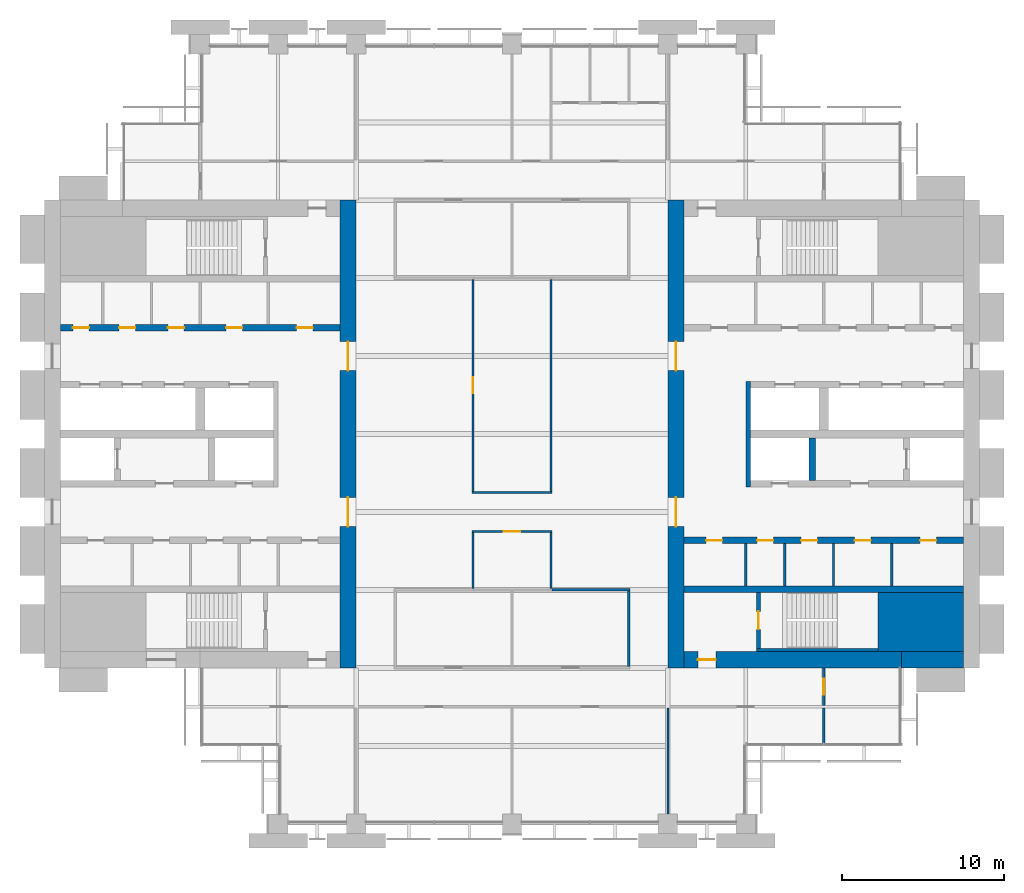
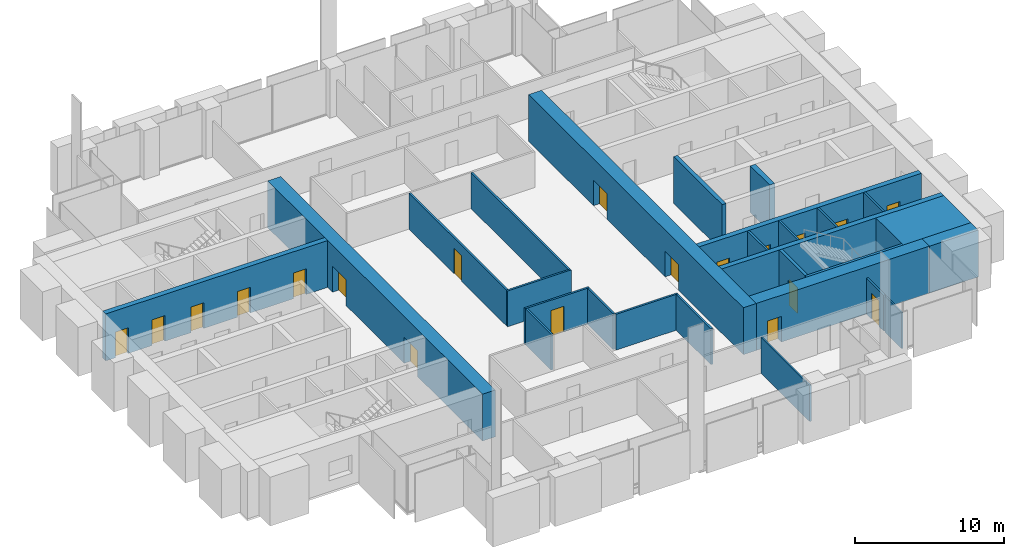
# One storey, part 10 of 14: 27 walls, 19 doors, 19 openings.
"""IFC4 building model written with IfcOpenShell, lengths in metres."""

from ifc_helpers import new_model, si_unit, direction, frame, frame_2d, origin, place, context, subcontext, project, spatial, rectangle, extrude, material, layer, layer_set, type_object, element, fill, save


model = new_model("IFC4")

# Units and contexts
model_context = context("Model", 3, precision=1e-05, world=origin(), true_north=direction((0.0, 1.0)))
body_context = subcontext(model_context, "Body", "Model", "MODEL_VIEW")
ifc_project = project(units=[si_unit("LENGTHUNIT", "METRE"), si_unit("AREAUNIT", "SQUARE_METRE"), si_unit("VOLUMEUNIT", "CUBIC_METRE"), si_unit("PLANEANGLEUNIT", "RADIAN"), si_unit("MASSUNIT", "GRAM", prefix="KILO")], contexts=[model_context])

# Site, building, storey
site_placement = place(None, origin())
site = spatial("IfcSite", under=ifc_project, at=site_placement, CompositionType="ELEMENT")
building_placement = place(site_placement, origin())
building = spatial("IfcBuilding", under=site, at=building_placement, Name="Baori Bourse Tower", CompositionType="ELEMENT")
storey_placement = place(building_placement, frame((0.0, 0.0, 108.10009765625)))
storey = spatial("IfcBuildingStorey", under=building, at=storey_placement, Name="L22", CompositionType="ELEMENT", Elevation=108.10009765625)

# Walls
ifc_material_1 = material(Name="Concrete f'c 60 MPa", Category="concrete")
wall_type_1 = type_object("IfcWallType", Name="Core corner block f'c 60", PredefinedType="SHEAR", material=ifc_material_1)
wall_1_placement = place(storey_placement, frame((51.35009765625, 12.425048828125, 0.0), z_axis=(0.0, 0.0, 1.0), x_axis=(1.0, 0.0, 0.0)))
element("IfcWall", 1, at=wall_1_placement, inside=storey, type_object=wall_type_1, Name="Core wall E05", PredefinedType="SHEAR", context=body_context, shape_type="SweptSolid", body=[
    extrude(rectangle(XDim=5.25, YDim=3.64990234375, at=frame_2d((2.625, 0.0))), origin(), (0.0, 0.0, 1.0), 3.83984375),
])
ifc_material_2 = material(Name="Blockwork partition", Category="masonry")
ifc_layer_1 = layer(ifc_material_2, 0.14990234375)
ifc_layer_set_1 = layer_set([ifc_layer_1], Name="Core partition 150")
wall_type_2 = type_object("IfcWallType", Name="Core partition 150", PredefinedType="PARTITIONING", material=ifc_layer_set_1)
for number, where, z_axis, x_axis, name in (
    (2, (52.199951171875, 14.64990234375, 0.0), (0.0, 0.0, 1.0), (0.0, 1.0, 0.0), "Partition wall E09"),
    (3, (48.60009765625, 14.64990234375, 0.0), (0.0, 0.0, 1.0), (0.0, 1.0, 0.0), "Partition wall E10"),
    (4, (45.60009765625, 14.64990234375, 0.0), (0.0, 0.0, 1.0), (0.0, 1.0, 0.0), "Partition wall E11"),
    (5, (43.199951171875, 14.64990234375, 0.0), (0.0, 0.0, 1.0), (0.0, 1.0, 0.0), "Partition wall E12"),
):
    element("IfcWall", number, at=place(storey_placement, frame(where, z_axis=z_axis, x_axis=x_axis)), inside=storey, type_object=wall_type_2, Name=name, PredefinedType="PARTITIONING", context=body_context, shape_type="SweptSolid", body=[
        extrude(rectangle(XDim=2.60009765625, YDim=0.14990234375, at=frame_2d((1.300048828125, 0.0))), origin(), (0.0, 0.0, 1.0), 3.83984375),
    ])

# Wall, openings, doors
ifc_material_3 = material(Name="Concrete f'c 60 MPa", Category="concrete")
ifc_layer_2 = layer(ifc_material_3, 1.0)
ifc_layer_set_2 = layer_set([ifc_layer_2], Name="Core wall 1000 f'c 60")
wall_type_3 = type_object("IfcWallType", Name="Core wall 1000 f'c 60", PredefinedType="SHEAR", material=ifc_layer_set_2)
wall_2_placement = place(storey_placement, frame((18.699951171875, 38.39990234375, 0.0), z_axis=(0.0, 0.0, 1.0), x_axis=(0.0, -1.0, 0.0)))
wall_2 = element("IfcWall", 6, at=wall_2_placement, inside=storey, type_object=wall_type_3, Name="Core wall W04", PredefinedType="SHEAR", context=body_context, shape_type="SweptSolid", body=[
    extrude(rectangle(XDim=28.7998046875, YDim=1.0, at=frame_2d((14.39990234375, 0.0))), origin(), (0.0, 0.0, 1.0), 3.83984375),
])
opening_1_placement = place(wall_2_placement, frame((18.300048828125, 0.0, 0.0)))
opening_1 = element("IfcOpeningElement", 7, at=opening_1_placement, cuts=wall_2, Name="Opening L22-D107", PredefinedType="OPENING", context=body_context, shape_type="SweptSolid", body=[
    extrude(rectangle(XDim=1.800048828125, YDim=2.10009765625, at=frame_2d((0.89990234375, 1.050048828125))), frame((0.0, 0.510009765625, 0.0), z_axis=(0.0, -1.0, 0.0), x_axis=(1.0, 0.0, 0.0)), (0.0, 0.0, 1.0), 1.02001953125),
])
opening_2_placement = place(wall_2_placement, frame((8.699951171875, 0.0, 0.0)))
opening_2 = element("IfcOpeningElement", 8, at=opening_2_placement, cuts=wall_2, Name="Opening L22-D108", PredefinedType="OPENING", context=body_context, shape_type="SweptSolid", body=[
    extrude(rectangle(XDim=1.800048828125, YDim=2.10009765625, at=frame_2d((0.89990234375, 1.050048828125))), frame((0.0, 0.510009765625, 0.0), z_axis=(0.0, -1.0, 0.0), x_axis=(1.0, 0.0, 0.0)), (0.0, 0.0, 1.0), 1.02001953125),
])
ifc_material_4 = material(Name="Painted steel door", Category="steel")
door_type_1 = type_object("IfcDoorType", Name="Core lobby door 1800", OperationType="DOUBLE_DOOR_SINGLE_SWING", PredefinedType="DOOR", material=ifc_material_4)
door_1_placement = place(opening_1_placement, origin())
door_1 = element("IfcDoor", 9, at=door_1_placement, inside=storey, type_object=door_type_1, Name="Lobby door W L22", OperationType="DOUBLE_DOOR_SINGLE_SWING", OverallHeight=2.10009765625, OverallWidth=1.800048828125, PredefinedType="DOOR", context=body_context, shape_type="SweptSolid", body=[
    extrude(rectangle(XDim=1.800048828125, YDim=2.10009765625, at=frame_2d((0.89990234375, 1.050048828125))), frame((0.0, 0.02490234375, 0.0), z_axis=(0.0, -1.0, 0.0), x_axis=(1.0, 0.0, 0.0)), (0.0, 0.0, 1.0), 0.050048828125),
])
fill(opening_1, door_1)
door_2_placement = place(opening_2_placement, origin())
door_2 = element("IfcDoor", 10, at=door_2_placement, inside=storey, type_object=door_type_1, Name="Lobby door W L22", OperationType="DOUBLE_DOOR_SINGLE_SWING", OverallHeight=2.10009765625, OverallWidth=1.800048828125, PredefinedType="DOOR", context=body_context, shape_type="SweptSolid", body=[
    extrude(rectangle(XDim=1.800048828125, YDim=2.10009765625, at=frame_2d((0.89990234375, 1.050048828125))), frame((0.0, 0.02490234375, 0.0), z_axis=(0.0, -1.0, 0.0), x_axis=(1.0, 0.0, 0.0)), (0.0, 0.0, 1.0), 0.050048828125),
])
fill(opening_2, door_2)

# Wall
wall_3_placement = place(storey_placement, frame((56.60009765625, 10.10009765625, 0.0), z_axis=(0.0, 0.0, 1.0), x_axis=(-1.0, 0.0, 0.0)))
element("IfcWall", 11, at=wall_3_placement, inside=storey, type_object=wall_type_3, Name="Core wall E02", PredefinedType="SHEAR", context=body_context, shape_type="SweptSolid", body=[
    extrude(rectangle(XDim=3.800048828125, YDim=1.0, at=frame_2d((1.89990234375, 0.0))), origin(), (0.0, 0.0, 1.0), 3.83984375),
])

# Wall, opening, door
wall_4_placement = place(storey_placement, frame((52.800048828125, 10.10009765625, 0.0), z_axis=(0.0, 0.0, 1.0), x_axis=(-1.0, 0.0, 0.0)))
wall_4 = element("IfcWall", 12, at=wall_4_placement, inside=storey, type_object=wall_type_3, Name="Core wall E03", PredefinedType="SHEAR", context=body_context, shape_type="SweptSolid", body=[
    extrude(rectangle(XDim=13.400146484375, YDim=1.0, at=frame_2d((6.7001953125, 0.0))), origin(), (0.0, 0.0, 1.0), 3.83984375),
])
opening_3_placement = place(wall_4_placement, frame((11.449951171875, 0.0, 0.0)))
opening_3 = element("IfcOpeningElement", 13, at=opening_3_placement, cuts=wall_4, Name="Opening L22-D202", PredefinedType="OPENING", context=body_context, shape_type="SweptSolid", body=[
    extrude(rectangle(XDim=1.10009765625, YDim=2.10009765625, at=frame_2d((0.550048828125, 1.050048828125))), frame((0.0, 0.510009765625, 0.0), z_axis=(0.0, -1.0, 0.0), x_axis=(1.0, 0.0, 0.0)), (0.0, 0.0, 1.0), 1.02001953125),
])
ifc_material_5 = material(Name="Painted steel door", Category="steel")
door_type_2 = type_object("IfcDoorType", Name="Stair door 1100", OperationType="SINGLE_SWING_LEFT", PredefinedType="DOOR", material=ifc_material_5)
door_3_placement = place(opening_3_placement, origin())
door_3 = element("IfcDoor", 14, at=door_3_placement, inside=storey, type_object=door_type_2, Name="Stair vestibule door A E L22", OperationType="SINGLE_SWING_LEFT", OverallHeight=2.10009765625, OverallWidth=1.10009765625, PredefinedType="DOOR", context=body_context, shape_type="SweptSolid", body=[
    extrude(rectangle(XDim=1.10009765625, YDim=2.10009765625, at=frame_2d((0.550048828125, 1.050048828125))), frame((0.0, 0.02490234375, 0.0), z_axis=(0.0, -1.0, 0.0), x_axis=(1.0, 0.0, 0.0)), (0.0, 0.0, 1.0), 0.050048828125),
])
fill(opening_3, door_3)

# Wall, openings, doors
wall_5_placement = place(storey_placement, frame((38.89990234375, 9.60009765625, 0.0), z_axis=(0.0, 0.0, 1.0), x_axis=(0.0, 1.0, 0.0)))
wall_5 = element("IfcWall", 15, at=wall_5_placement, inside=storey, type_object=wall_type_3, Name="Core wall E04", PredefinedType="SHEAR", context=body_context, shape_type="SweptSolid", body=[
    extrude(rectangle(XDim=28.7998046875, YDim=1.0, at=frame_2d((14.39990234375, 0.0))), origin(), (0.0, 0.0, 1.0), 3.83984375),
])
opening_4_placement = place(wall_5_placement, frame((8.699951171875, 0.0, 0.0)))
opening_4 = element("IfcOpeningElement", 16, at=opening_4_placement, cuts=wall_5, Name="Opening L22-D207", PredefinedType="OPENING", context=body_context, shape_type="SweptSolid", body=[
    extrude(rectangle(XDim=1.800048828125, YDim=2.10009765625, at=frame_2d((0.89990234375, 1.050048828125))), frame((0.0, 0.510009765625, 0.0), z_axis=(0.0, -1.0, 0.0), x_axis=(1.0, 0.0, 0.0)), (0.0, 0.0, 1.0), 1.02001953125),
])
opening_5_placement = place(wall_5_placement, frame((18.300048828125, 0.0, 0.0)))
opening_5 = element("IfcOpeningElement", 17, at=opening_5_placement, cuts=wall_5, Name="Opening L22-D208", PredefinedType="OPENING", context=body_context, shape_type="SweptSolid", body=[
    extrude(rectangle(XDim=1.800048828125, YDim=2.10009765625, at=frame_2d((0.89990234375, 1.050048828125))), frame((0.0, 0.510009765625, 0.0), z_axis=(0.0, -1.0, 0.0), x_axis=(1.0, 0.0, 0.0)), (0.0, 0.0, 1.0), 1.02001953125),
])
door_4_placement = place(opening_4_placement, origin())
door_4 = element("IfcDoor", 18, at=door_4_placement, inside=storey, type_object=door_type_1, Name="Lobby door E L22", OperationType="DOUBLE_DOOR_SINGLE_SWING", OverallHeight=2.10009765625, OverallWidth=1.800048828125, PredefinedType="DOOR", context=body_context, shape_type="SweptSolid", body=[
    extrude(rectangle(XDim=1.800048828125, YDim=2.10009765625, at=frame_2d((0.89990234375, 1.050048828125))), frame((0.0, 0.02490234375, 0.0), z_axis=(0.0, -1.0, 0.0), x_axis=(1.0, 0.0, 0.0)), (0.0, 0.0, 1.0), 0.050048828125),
])
fill(opening_4, door_4)
door_5_placement = place(opening_5_placement, origin())
door_5 = element("IfcDoor", 19, at=door_5_placement, inside=storey, type_object=door_type_1, Name="Lobby door E L22", OperationType="DOUBLE_DOOR_SINGLE_SWING", OverallHeight=2.10009765625, OverallWidth=1.800048828125, PredefinedType="DOOR", context=body_context, shape_type="SweptSolid", body=[
    extrude(rectangle(XDim=1.800048828125, YDim=2.10009765625, at=frame_2d((0.89990234375, 1.050048828125))), frame((0.0, 0.02490234375, 0.0), z_axis=(0.0, -1.0, 0.0), x_axis=(1.0, 0.0, 0.0)), (0.0, 0.0, 1.0), 0.050048828125),
])
fill(opening_5, door_5)

# Wall
ifc_material_6 = material(Name="Gypsum board partition")
ifc_layer_3 = layer(ifc_material_6, 0.14990234375)
ifc_layer_set_3 = layer_set([ifc_layer_3], Name="Corridor partition 150")
wall_type_4 = type_object("IfcWallType", Name="Corridor partition 150", PredefinedType="PARTITIONING", material=ifc_layer_set_3)
wall_6_placement = place(storey_placement, frame((31.27490234375, 14.39990234375, 0.0), z_axis=(0.0, 0.0, 1.0), x_axis=(1.0, 0.0, 0.0)))
element("IfcWall", 20, at=wall_6_placement, inside=storey, type_object=wall_type_4, Name="Partition", PredefinedType="PARTITIONING", context=body_context, shape_type="SweptSolid", body=[
    extrude(rectangle(XDim=4.800048828125, YDim=0.14990234375, at=frame_2d((2.39990234375, 0.0))), origin(), (0.0, 0.0, 1.0), 2.935546875),
])

# Wall, opening, door
wall_7_placement = place(storey_placement, frame((26.324951171875, 18.0, 0.0), z_axis=(0.0, 0.0, 1.0), x_axis=(1.0, 0.0, 0.0)))
wall_7 = element("IfcWall", 21, at=wall_7_placement, inside=storey, type_object=wall_type_4, Name="Partition", PredefinedType="PARTITIONING", context=body_context, shape_type="SweptSolid", body=[
    extrude(rectangle(XDim=4.949951171875, YDim=0.14990234375, at=frame_2d((2.47509765625, 0.0))), origin(), (0.0, 0.0, 1.0), 2.935546875),
])
opening_6_placement = place(wall_7_placement, frame((1.97509765625, 0.0, 0.0)))
opening_6 = element("IfcOpeningElement", 22, at=opening_6_placement, cuts=wall_7, Name="Opening L22-D07", PredefinedType="OPENING", context=body_context, shape_type="SweptSolid", body=[
    extrude(rectangle(XDim=1.0, YDim=2.10009765625, at=frame_2d((0.5, 1.050048828125))), frame((0.0, 0.0849609375, 0.0), z_axis=(0.0, -1.0, 0.0), x_axis=(1.0, 0.0, 0.0)), (0.0, 0.0, 1.0), 0.169921875),
])
ifc_material_7 = material(Name="Timber door leaf", Category="wood")
door_type_3 = type_object("IfcDoorType", Name="Door 1000 x 2100", OperationType="SINGLE_SWING_LEFT", PredefinedType="DOOR", material=ifc_material_7)
door_6_placement = place(opening_6_placement, origin())
door_6 = element("IfcDoor", 23, at=door_6_placement, inside=storey, type_object=door_type_3, Name="Door", OperationType="SINGLE_SWING_RIGHT", OverallHeight=2.10009765625, OverallWidth=1.0, PredefinedType="DOOR", context=body_context, shape_type="SweptSolid", body=[
    extrude(rectangle(XDim=1.0, YDim=2.10009765625, at=frame_2d((0.5, 1.050048828125))), frame((0.0, 0.02490234375, 0.0), z_axis=(0.0, -1.0, 0.0), x_axis=(1.0, 0.0, 0.0)), (0.0, 0.0, 1.0), 0.050048828125),
])
fill(opening_6, door_6)

# Walls
wall_8_placement = place(storey_placement, frame((26.324951171875, 20.39990234375, 0.0), z_axis=(0.0, 0.0, 1.0), x_axis=(1.0, 0.0, 0.0)))
element("IfcWall", 24, at=wall_8_placement, inside=storey, type_object=wall_type_4, Name="Partition", PredefinedType="PARTITIONING", context=body_context, shape_type="SweptSolid", body=[
    extrude(rectangle(XDim=4.949951171875, YDim=0.14990234375, at=frame_2d((2.47509765625, 0.0))), origin(), (0.0, 0.0, 1.0), 2.935546875),
])
wall_9_placement = place(storey_placement, frame((26.39990234375, 14.47509765625, 0.0), z_axis=(0.0, 0.0, 1.0), x_axis=(0.0, 1.0, 0.0)))
element("IfcWall", 25, at=wall_9_placement, inside=storey, type_object=wall_type_4, Name="Partition", PredefinedType="PARTITIONING", context=body_context, shape_type="SweptSolid", body=[
    extrude(rectangle(XDim=3.449951171875, YDim=0.14990234375, at=frame_2d((1.72509765625, 0.0))), origin(), (0.0, 0.0, 1.0), 2.935546875),
])

# Wall, opening, door
wall_10_placement = place(storey_placement, frame((26.39990234375, 20.47509765625, 0.0), z_axis=(0.0, 0.0, 1.0), x_axis=(0.0, 1.0, 0.0)))
wall_10 = element("IfcWall", 26, at=wall_10_placement, inside=storey, type_object=wall_type_4, Name="Partition", PredefinedType="PARTITIONING", context=body_context, shape_type="SweptSolid", body=[
    extrude(rectangle(XDim=13.0498046875, YDim=0.14990234375, at=frame_2d((6.52490234375, 0.0))), origin(), (0.0, 0.0, 1.0), 2.935546875),
])
opening_7_placement = place(wall_10_placement, frame((6.02490234375, 0.0, 0.0)))
opening_7 = element("IfcOpeningElement", 27, at=opening_7_placement, cuts=wall_10, Name="Opening L22-D19", PredefinedType="OPENING", context=body_context, shape_type="SweptSolid", body=[
    extrude(rectangle(XDim=1.0, YDim=2.10009765625, at=frame_2d((0.5, 1.050048828125))), frame((0.0, 0.0849609375, 0.0), z_axis=(0.0, -1.0, 0.0), x_axis=(1.0, 0.0, 0.0)), (0.0, 0.0, 1.0), 0.169921875),
])
door_7_placement = place(opening_7_placement, origin())
door_7 = element("IfcDoor", 28, at=door_7_placement, inside=storey, type_object=door_type_3, Name="Door", OperationType="SINGLE_SWING_LEFT", OverallHeight=2.10009765625, OverallWidth=1.0, PredefinedType="DOOR", context=body_context, shape_type="SweptSolid", body=[
    extrude(rectangle(XDim=1.0, YDim=2.10009765625, at=frame_2d((0.5, 1.050048828125))), frame((0.0, 0.02490234375, 0.0), z_axis=(0.0, -1.0, 0.0), x_axis=(1.0, 0.0, 0.0)), (0.0, 0.0, 1.0), 0.050048828125),
])
fill(opening_7, door_7)

# Walls
wall_11_placement = place(storey_placement, frame((31.199951171875, 14.47509765625, 0.0), z_axis=(0.0, 0.0, 1.0), x_axis=(0.0, 1.0, 0.0)))
element("IfcWall", 29, at=wall_11_placement, inside=storey, type_object=wall_type_4, Name="Partition", PredefinedType="PARTITIONING", context=body_context, shape_type="SweptSolid", body=[
    extrude(rectangle(XDim=3.449951171875, YDim=0.14990234375, at=frame_2d((1.72509765625, 0.0))), origin(), (0.0, 0.0, 1.0), 2.935546875),
])
wall_12_placement = place(storey_placement, frame((31.199951171875, 20.47509765625, 0.0), z_axis=(0.0, 0.0, 1.0), x_axis=(0.0, 1.0, 0.0)))
element("IfcWall", 30, at=wall_12_placement, inside=storey, type_object=wall_type_4, Name="Partition", PredefinedType="PARTITIONING", context=body_context, shape_type="SweptSolid", body=[
    extrude(rectangle(XDim=13.0498046875, YDim=0.14990234375, at=frame_2d((6.52490234375, 0.0))), origin(), (0.0, 0.0, 1.0), 2.935546875),
])
wall_13_placement = place(storey_placement, frame((36.0, 9.675048828125, 0.0), z_axis=(0.0, 0.0, 1.0), x_axis=(0.0, 1.0, 0.0)))
element("IfcWall", 31, at=wall_13_placement, inside=storey, type_object=wall_type_4, Name="Partition", PredefinedType="PARTITIONING", context=body_context, shape_type="SweptSolid", body=[
    extrude(rectangle(XDim=4.64990234375, YDim=0.14990234375, at=frame_2d((2.324951171875, 0.0))), origin(), (0.0, 0.0, 1.0), 2.935546875),
])

# Wall, opening, door
wall_14_placement = place(storey_placement, frame((48.0, 7.27490234375, 0.0), z_axis=(0.0, 0.0, 1.0), x_axis=(0.0, 1.0, 0.0)))
wall_14 = element("IfcWall", 32, at=wall_14_placement, inside=storey, type_object=wall_type_4, Name="Partition", PredefinedType="PARTITIONING", context=body_context, shape_type="SweptSolid", body=[
    extrude(rectangle(XDim=2.3251953125, YDim=0.14990234375, at=frame_2d((1.16259765625, 0.0))), origin(), (0.0, 0.0, 1.0), 2.935546875),
])
opening_8_placement = place(wall_14_placement, frame((0.66259765625, 0.0, 0.0)))
opening_8 = element("IfcOpeningElement", 33, at=opening_8_placement, cuts=wall_14, Name="Opening L22-D20", PredefinedType="OPENING", context=body_context, shape_type="SweptSolid", body=[
    extrude(rectangle(XDim=1.0, YDim=2.10009765625, at=frame_2d((0.5, 1.050048828125))), frame((0.0, 0.0849609375, 0.0), z_axis=(0.0, -1.0, 0.0), x_axis=(1.0, 0.0, 0.0)), (0.0, 0.0, 1.0), 0.169921875),
])
door_8_placement = place(opening_8_placement, origin())
door_8 = element("IfcDoor", 34, at=door_8_placement, inside=storey, type_object=door_type_3, Name="Door", OperationType="SINGLE_SWING_LEFT", OverallHeight=2.10009765625, OverallWidth=1.0, PredefinedType="DOOR", context=body_context, shape_type="SweptSolid", body=[
    extrude(rectangle(XDim=1.0, YDim=2.10009765625, at=frame_2d((0.5, 1.050048828125))), frame((0.0, 0.02490234375, 0.0), z_axis=(0.0, -1.0, 0.0), x_axis=(1.0, 0.0, 0.0)), (0.0, 0.0, 1.0), 0.050048828125),
])
fill(opening_8, door_8)

# Walls
ifc_material_8 = material(Name="Gypsum board partition")
ifc_layer_4 = layer(ifc_material_8, 0.125)
ifc_layer_set_4 = layer_set([ifc_layer_4], Name="Partition 125")
wall_type_5 = type_object("IfcWallType", Name="Partition 125", PredefinedType="PARTITIONING", material=ifc_layer_set_4)
wall_15_placement = place(storey_placement, frame((38.39990234375, 0.60009765625, 0.0), z_axis=(0.0, 0.0, 1.0), x_axis=(0.0, 1.0, 0.0)))
element("IfcWall", 35, at=wall_15_placement, inside=storey, type_object=wall_type_5, Name="Partition", PredefinedType="PARTITIONING", context=body_context, shape_type="SweptSolid", body=[
    extrude(rectangle(XDim=6.52490234375, YDim=0.125, at=frame_2d((3.262451171875, 0.0))), origin(), (0.0, 0.0, 1.0), 2.935546875),
])
wall_16_placement = place(storey_placement, frame((48.0, 4.89990234375, 0.0), z_axis=(0.0, 0.0, 1.0), x_axis=(0.0, 1.0, 0.0)))
element("IfcWall", 36, at=wall_16_placement, inside=storey, type_object=wall_type_5, Name="Partition", PredefinedType="PARTITIONING", context=body_context, shape_type="SweptSolid", body=[
    extrude(rectangle(XDim=2.22509765625, YDim=0.125, at=frame_2d((1.112548828125, 0.0))), origin(), (0.0, 0.0, 1.0), 2.935546875),
])
ifc_material_9 = material(Name="Concrete f'c 60 MPa", Category="concrete")
ifc_layer_5 = layer(ifc_material_9, 0.199951171875)
ifc_layer_set_5 = layer_set([ifc_layer_5], Name="Shaft wall 200 f'c 60")
wall_type_6 = type_object("IfcWallType", Name="Shaft wall 200 f'c 60", PredefinedType="SHEAR", material=ifc_layer_set_5)
wall_17_placement = place(storey_placement, frame((43.85009765625, 10.699951171875, 0.0), z_axis=(0.0, 0.0, 1.0), x_axis=(1.0, 0.0, 0.0)))
element("IfcWall", 37, at=wall_17_placement, inside=storey, type_object=wall_type_6, Name="Core wall E06", PredefinedType="SHEAR", context=body_context, shape_type="SweptSolid", body=[
    extrude(rectangle(XDim=7.5, YDim=0.199951171875, at=frame_2d((3.75, 0.0))), origin(), (0.0, 0.0, 1.0), 3.83984375),
])

# Wall, opening, door
ifc_material_10 = material(Name="Concrete f'c 60 MPa", Category="concrete")
ifc_layer_6 = layer(ifc_material_10, 0.25)
ifc_layer_set_6 = layer_set([ifc_layer_6], Name="Shaft wall 250 f'c 60")
wall_type_7 = type_object("IfcWallType", Name="Shaft wall 250 f'c 60", PredefinedType="SHEAR", material=ifc_layer_set_6)
wall_18_placement = place(storey_placement, frame((43.97509765625, 10.800048828125, 0.0), z_axis=(0.0, 0.0, 1.0), x_axis=(0.0, 1.0, 0.0)))
wall_18 = element("IfcWall", 38, at=wall_18_placement, inside=storey, type_object=wall_type_7, Name="Core wall E07", PredefinedType="SHEAR", context=body_context, shape_type="SweptSolid", body=[
    extrude(rectangle(XDim=3.449951171875, YDim=0.25, at=frame_2d((1.72509765625, 0.0))), origin(), (0.0, 0.0, 1.0), 3.83984375),
])
opening_9_placement = place(wall_18_placement, frame((1.175048828125, 0.0, 0.0)))
opening_9 = element("IfcOpeningElement", 39, at=opening_9_placement, cuts=wall_18, Name="Opening L22-D201", PredefinedType="OPENING", context=body_context, shape_type="SweptSolid", body=[
    extrude(rectangle(XDim=1.10009765625, YDim=2.10009765625, at=frame_2d((0.550048828125, 1.050048828125))), frame((0.0, 0.135009765625, 0.0), z_axis=(0.0, -1.0, 0.0), x_axis=(1.0, 0.0, 0.0)), (0.0, 0.0, 1.0), 0.27001953125),
])
door_9_placement = place(opening_9_placement, origin())
door_9 = element("IfcDoor", 40, at=door_9_placement, inside=storey, type_object=door_type_2, Name="Stair door A E L22", OperationType="SINGLE_SWING_LEFT", OverallHeight=2.10009765625, OverallWidth=1.10009765625, PredefinedType="DOOR", context=body_context, shape_type="SweptSolid", body=[
    extrude(rectangle(XDim=1.10009765625, YDim=2.10009765625, at=frame_2d((0.550048828125, 1.050048828125))), frame((0.0, 0.02490234375, 0.0), z_axis=(0.0, -1.0, 0.0), x_axis=(1.0, 0.0, 0.0)), (0.0, 0.0, 1.0), 0.050048828125),
])
fill(opening_9, door_9)

# Wall
ifc_material_11 = material(Name="Concrete f'c 60 MPa", Category="concrete")
ifc_layer_7 = layer(ifc_material_11, 0.300048828125)
ifc_layer_set_7 = layer_set([ifc_layer_7], Name="Shaft wall 300 f'c 60")
wall_type_8 = type_object("IfcWallType", Name="Shaft wall 300 f'c 60", PredefinedType="SHEAR", material=ifc_layer_set_7)
wall_19_placement = place(storey_placement, frame((43.35009765625, 20.75, 0.0), z_axis=(0.0, 0.0, 1.0), x_axis=(0.0, 1.0, 0.0)))
element("IfcWall", 41, at=wall_19_placement, inside=storey, type_object=wall_type_8, Name="Core wall E15", PredefinedType="SHEAR", context=body_context, shape_type="SweptSolid", body=[
    extrude(rectangle(XDim=6.5, YDim=0.300048828125, at=frame_2d((3.25, 0.0))), origin(), (0.0, 0.0, 1.0), 3.83984375),
])

# Wall, openings, doors
ifc_material_12 = material(Name="Concrete f'c 60 MPa", Category="concrete")
ifc_layer_8 = layer(ifc_material_12, 0.39990234375)
ifc_layer_set_8 = layer_set([ifc_layer_8], Name="Shaft wall 400 f'c 60")
wall_type_9 = type_object("IfcWallType", Name="Shaft wall 400 f'c 60", PredefinedType="SHEAR", material=ifc_layer_set_8)
wall_20_placement = place(storey_placement, frame((1.0, 30.550048828125, 0.0), z_axis=(0.0, 0.0, 1.0), x_axis=(1.0, 0.0, 0.0)))
wall_20 = element("IfcWall", 42, at=wall_20_placement, inside=storey, type_object=wall_type_9, Name="Core wall W22", PredefinedType="SHEAR", context=body_context, shape_type="SweptSolid", body=[
    extrude(rectangle(XDim=17.199951171875, YDim=0.39990234375, at=frame_2d((8.60009765625, 0.0))), origin(), (0.0, 0.0, 1.0), 3.83984375),
])
opening_10_placement = place(wall_20_placement, frame((0.762451171875, 0.0, 0.0)))
opening_10 = element("IfcOpeningElement", 43, at=opening_10_placement, cuts=wall_20, Name="Opening L22-D109", PredefinedType="OPENING", context=body_context, shape_type="SweptSolid", body=[
    extrude(rectangle(XDim=1.0, YDim=2.10009765625, at=frame_2d((0.5, 1.050048828125))), frame((0.0, 0.2099609375, 0.0), z_axis=(0.0, -1.0, 0.0), x_axis=(1.0, 0.0, 0.0)), (0.0, 0.0, 1.0), 0.419921875),
])
opening_11_placement = place(wall_20_placement, frame((3.60009765625, 0.0, 0.0)))
opening_11 = element("IfcOpeningElement", 44, at=opening_11_placement, cuts=wall_20, Name="Opening L22-D110", PredefinedType="OPENING", context=body_context, shape_type="SweptSolid", body=[
    extrude(rectangle(XDim=1.0, YDim=2.10009765625, at=frame_2d((0.5, 1.050048828125))), frame((0.0, 0.2099609375, 0.0), z_axis=(0.0, -1.0, 0.0), x_axis=(1.0, 0.0, 0.0)), (0.0, 0.0, 1.0), 0.419921875),
])
opening_12_placement = place(wall_20_placement, frame((6.60009765625, 0.0, 0.0)))
opening_12 = element("IfcOpeningElement", 45, at=opening_12_placement, cuts=wall_20, Name="Opening L22-D111", PredefinedType="OPENING", context=body_context, shape_type="SweptSolid", body=[
    extrude(rectangle(XDim=1.0, YDim=2.10009765625, at=frame_2d((0.5, 1.050048828125))), frame((0.0, 0.2099609375, 0.0), z_axis=(0.0, -1.0, 0.0), x_axis=(1.0, 0.0, 0.0)), (0.0, 0.0, 1.0), 0.419921875),
])
opening_13_placement = place(wall_20_placement, frame((10.199951171875, 0.0, 0.0)))
opening_13 = element("IfcOpeningElement", 46, at=opening_13_placement, cuts=wall_20, Name="Opening L22-D112", PredefinedType="OPENING", context=body_context, shape_type="SweptSolid", body=[
    extrude(rectangle(XDim=1.0, YDim=2.10009765625, at=frame_2d((0.5, 1.050048828125))), frame((0.0, 0.2099609375, 0.0), z_axis=(0.0, -1.0, 0.0), x_axis=(1.0, 0.0, 0.0)), (0.0, 0.0, 1.0), 0.419921875),
])
opening_14_placement = place(wall_20_placement, frame((14.53759765625, 0.0, 0.0)))
opening_14 = element("IfcOpeningElement", 47, at=opening_14_placement, cuts=wall_20, Name="Opening L22-D113", PredefinedType="OPENING", context=body_context, shape_type="SweptSolid", body=[
    extrude(rectangle(XDim=1.0, YDim=2.10009765625, at=frame_2d((0.5, 1.050048828125))), frame((0.0, 0.2099609375, 0.0), z_axis=(0.0, -1.0, 0.0), x_axis=(1.0, 0.0, 0.0)), (0.0, 0.0, 1.0), 0.419921875),
])
ifc_material_13 = material(Name="Painted steel door", Category="steel")
door_type_4 = type_object("IfcDoorType", Name="Core door 1000", OperationType="SINGLE_SWING_LEFT", PredefinedType="DOOR", material=ifc_material_13)
door_10_placement = place(opening_10_placement, origin())
door_10 = element("IfcDoor", 48, at=door_10_placement, inside=storey, type_object=door_type_4, Name="Pantry door W L22", OperationType="SINGLE_SWING_LEFT", OverallHeight=2.10009765625, OverallWidth=1.0, PredefinedType="DOOR", context=body_context, shape_type="SweptSolid", body=[
    extrude(rectangle(XDim=1.0, YDim=2.10009765625, at=frame_2d((0.5, 1.050048828125))), frame((0.0, 0.02490234375, 0.0), z_axis=(0.0, -1.0, 0.0), x_axis=(1.0, 0.0, 0.0)), (0.0, 0.0, 1.0), 0.050048828125),
])
fill(opening_10, door_10)
door_11_placement = place(opening_11_placement, origin())
door_11 = element("IfcDoor", 49, at=door_11_placement, inside=storey, type_object=door_type_4, Name="Accessible Wc door W L22", OperationType="SINGLE_SWING_LEFT", OverallHeight=2.10009765625, OverallWidth=1.0, PredefinedType="DOOR", context=body_context, shape_type="SweptSolid", body=[
    extrude(rectangle(XDim=1.0, YDim=2.10009765625, at=frame_2d((0.5, 1.050048828125))), frame((0.0, 0.02490234375, 0.0), z_axis=(0.0, -1.0, 0.0), x_axis=(1.0, 0.0, 0.0)), (0.0, 0.0, 1.0), 0.050048828125),
])
fill(opening_11, door_11)
door_12_placement = place(opening_12_placement, origin())
door_12 = element("IfcDoor", 50, at=door_12_placement, inside=storey, type_object=door_type_4, Name="Store Room door W L22", OperationType="SINGLE_SWING_LEFT", OverallHeight=2.10009765625, OverallWidth=1.0, PredefinedType="DOOR", context=body_context, shape_type="SweptSolid", body=[
    extrude(rectangle(XDim=1.0, YDim=2.10009765625, at=frame_2d((0.5, 1.050048828125))), frame((0.0, 0.02490234375, 0.0), z_axis=(0.0, -1.0, 0.0), x_axis=(1.0, 0.0, 0.0)), (0.0, 0.0, 1.0), 0.050048828125),
])
fill(opening_12, door_12)
door_13_placement = place(opening_13_placement, origin())
door_13 = element("IfcDoor", 51, at=door_13_placement, inside=storey, type_object=door_type_4, Name="Men'S Wc door W L22", OperationType="SINGLE_SWING_LEFT", OverallHeight=2.10009765625, OverallWidth=1.0, PredefinedType="DOOR", context=body_context, shape_type="SweptSolid", body=[
    extrude(rectangle(XDim=1.0, YDim=2.10009765625, at=frame_2d((0.5, 1.050048828125))), frame((0.0, 0.02490234375, 0.0), z_axis=(0.0, -1.0, 0.0), x_axis=(1.0, 0.0, 0.0)), (0.0, 0.0, 1.0), 0.050048828125),
])
fill(opening_13, door_13)
door_14_placement = place(opening_14_placement, origin())
door_14 = element("IfcDoor", 52, at=door_14_placement, inside=storey, type_object=door_type_4, Name="Women'S Wc door W L22", OperationType="SINGLE_SWING_LEFT", OverallHeight=2.10009765625, OverallWidth=1.0, PredefinedType="DOOR", context=body_context, shape_type="SweptSolid", body=[
    extrude(rectangle(XDim=1.0, YDim=2.10009765625, at=frame_2d((0.5, 1.050048828125))), frame((0.0, 0.02490234375, 0.0), z_axis=(0.0, -1.0, 0.0), x_axis=(1.0, 0.0, 0.0)), (0.0, 0.0, 1.0), 0.050048828125),
])
fill(opening_14, door_14)

# Wall
wall_21_placement = place(storey_placement, frame((39.39990234375, 14.449951171875, 0.0), z_axis=(0.0, 0.0, 1.0), x_axis=(1.0, 0.0, 0.0)))
element("IfcWall", 53, at=wall_21_placement, inside=storey, type_object=wall_type_9, Name="Core wall E08", PredefinedType="SHEAR", context=body_context, shape_type="SweptSolid", body=[
    extrude(rectangle(XDim=17.2001953125, YDim=0.39990234375, at=frame_2d((8.60009765625, 0.0))), origin(), (0.0, 0.0, 1.0), 3.83984375),
])

# Wall, openings, doors
wall_22_placement = place(storey_placement, frame((39.39990234375, 17.449951171875, 0.0), z_axis=(0.0, 0.0, 1.0), x_axis=(1.0, 0.0, 0.0)))
wall_22 = element("IfcWall", 54, at=wall_22_placement, inside=storey, type_object=wall_type_9, Name="Core wall E13", PredefinedType="SHEAR", context=body_context, shape_type="SweptSolid", body=[
    extrude(rectangle(XDim=17.2001953125, YDim=0.39990234375, at=frame_2d((8.60009765625, 0.0))), origin(), (0.0, 0.0, 1.0), 3.83984375),
])
opening_15_placement = place(wall_22_placement, frame((14.53759765625, 0.0, 0.0)))
opening_15 = element("IfcOpeningElement", 55, at=opening_15_placement, cuts=wall_22, Name="Opening L22-D214", PredefinedType="OPENING", context=body_context, shape_type="SweptSolid", body=[
    extrude(rectangle(XDim=1.0, YDim=2.10009765625, at=frame_2d((0.5, 1.050048828125))), frame((0.0, 0.2099609375, 0.0), z_axis=(0.0, -1.0, 0.0), x_axis=(1.0, 0.0, 0.0)), (0.0, 0.0, 1.0), 0.419921875),
])
opening_16_placement = place(wall_22_placement, frame((10.5, 0.0, 0.0)))
opening_16 = element("IfcOpeningElement", 56, at=opening_16_placement, cuts=wall_22, Name="Opening L22-D215", PredefinedType="OPENING", context=body_context, shape_type="SweptSolid", body=[
    extrude(rectangle(XDim=1.0, YDim=2.10009765625, at=frame_2d((0.5, 1.050048828125))), frame((0.0, 0.2099609375, 0.0), z_axis=(0.0, -1.0, 0.0), x_axis=(1.0, 0.0, 0.0)), (0.0, 0.0, 1.0), 0.419921875),
])
opening_17_placement = place(wall_22_placement, frame((7.199951171875, 0.0, 0.0)))
opening_17 = element("IfcOpeningElement", 57, at=opening_17_placement, cuts=wall_22, Name="Opening L22-D216", PredefinedType="OPENING", context=body_context, shape_type="SweptSolid", body=[
    extrude(rectangle(XDim=1.0, YDim=2.10009765625, at=frame_2d((0.5, 1.050048828125))), frame((0.0, 0.2099609375, 0.0), z_axis=(0.0, -1.0, 0.0), x_axis=(1.0, 0.0, 0.0)), (0.0, 0.0, 1.0), 0.419921875),
])
opening_18_placement = place(wall_22_placement, frame((4.5, 0.0, 0.0)))
opening_18 = element("IfcOpeningElement", 58, at=opening_18_placement, cuts=wall_22, Name="Opening L22-D217", PredefinedType="OPENING", context=body_context, shape_type="SweptSolid", body=[
    extrude(rectangle(XDim=1.0, YDim=2.10009765625, at=frame_2d((0.5, 1.050048828125))), frame((0.0, 0.2099609375, 0.0), z_axis=(0.0, -1.0, 0.0), x_axis=(1.0, 0.0, 0.0)), (0.0, 0.0, 1.0), 0.419921875),
])
opening_19_placement = place(wall_22_placement, frame((1.362548828125, 0.0, 0.0)))
opening_19 = element("IfcOpeningElement", 59, at=opening_19_placement, cuts=wall_22, Name="Opening L22-D218", PredefinedType="OPENING", context=body_context, shape_type="SweptSolid", body=[
    extrude(rectangle(XDim=1.0, YDim=2.10009765625, at=frame_2d((0.5, 1.050048828125))), frame((0.0, 0.2099609375, 0.0), z_axis=(0.0, -1.0, 0.0), x_axis=(1.0, 0.0, 0.0)), (0.0, 0.0, 1.0), 0.419921875),
])
door_15_placement = place(opening_15_placement, origin())
door_15 = element("IfcDoor", 60, at=door_15_placement, inside=storey, type_object=door_type_4, Name="Men'S Wc door E L22", OperationType="SINGLE_SWING_LEFT", OverallHeight=2.10009765625, OverallWidth=1.0, PredefinedType="DOOR", context=body_context, shape_type="SweptSolid", body=[
    extrude(rectangle(XDim=1.0, YDim=2.10009765625, at=frame_2d((0.5, 1.050048828125))), frame((0.0, 0.02490234375, 0.0), z_axis=(0.0, -1.0, 0.0), x_axis=(1.0, 0.0, 0.0)), (0.0, 0.0, 1.0), 0.050048828125),
])
fill(opening_15, door_15)
door_16_placement = place(opening_16_placement, origin())
door_16 = element("IfcDoor", 61, at=door_16_placement, inside=storey, type_object=door_type_4, Name="Women'S Wc door E L22", OperationType="SINGLE_SWING_LEFT", OverallHeight=2.10009765625, OverallWidth=1.0, PredefinedType="DOOR", context=body_context, shape_type="SweptSolid", body=[
    extrude(rectangle(XDim=1.0, YDim=2.10009765625, at=frame_2d((0.5, 1.050048828125))), frame((0.0, 0.02490234375, 0.0), z_axis=(0.0, -1.0, 0.0), x_axis=(1.0, 0.0, 0.0)), (0.0, 0.0, 1.0), 0.050048828125),
])
fill(opening_16, door_16)
door_17_placement = place(opening_17_placement, origin())
door_17 = element("IfcDoor", 62, at=door_17_placement, inside=storey, type_object=door_type_4, Name="Store Room door E L22", OperationType="SINGLE_SWING_LEFT", OverallHeight=2.10009765625, OverallWidth=1.0, PredefinedType="DOOR", context=body_context, shape_type="SweptSolid", body=[
    extrude(rectangle(XDim=1.0, YDim=2.10009765625, at=frame_2d((0.5, 1.050048828125))), frame((0.0, 0.02490234375, 0.0), z_axis=(0.0, -1.0, 0.0), x_axis=(1.0, 0.0, 0.0)), (0.0, 0.0, 1.0), 0.050048828125),
])
fill(opening_17, door_17)
door_18_placement = place(opening_18_placement, origin())
door_18 = element("IfcDoor", 63, at=door_18_placement, inside=storey, type_object=door_type_4, Name="Janitor'S Closet door E L22", OperationType="SINGLE_SWING_LEFT", OverallHeight=2.10009765625, OverallWidth=1.0, PredefinedType="DOOR", context=body_context, shape_type="SweptSolid", body=[
    extrude(rectangle(XDim=1.0, YDim=2.10009765625, at=frame_2d((0.5, 1.050048828125))), frame((0.0, 0.02490234375, 0.0), z_axis=(0.0, -1.0, 0.0), x_axis=(1.0, 0.0, 0.0)), (0.0, 0.0, 1.0), 0.050048828125),
])
fill(opening_18, door_18)
door_19_placement = place(opening_19_placement, origin())
door_19 = element("IfcDoor", 64, at=door_19_placement, inside=storey, type_object=door_type_4, Name="Accessible Wc door E L22", OperationType="SINGLE_SWING_LEFT", OverallHeight=2.10009765625, OverallWidth=1.0, PredefinedType="DOOR", context=body_context, shape_type="SweptSolid", body=[
    extrude(rectangle(XDim=1.0, YDim=2.10009765625, at=frame_2d((0.5, 1.050048828125))), frame((0.0, 0.02490234375, 0.0), z_axis=(0.0, -1.0, 0.0), x_axis=(1.0, 0.0, 0.0)), (0.0, 0.0, 1.0), 0.050048828125),
])
fill(opening_19, door_19)

# Wall
wall_23_placement = place(storey_placement, frame((47.300048828125, 21.14990234375, 0.0), z_axis=(0.0, 0.0, 1.0), x_axis=(0.0, 1.0, 0.0)))
element("IfcWall", 65, at=wall_23_placement, inside=storey, type_object=wall_type_9, Name="Core wall E17", PredefinedType="SHEAR", context=body_context, shape_type="SweptSolid", body=[
    extrude(rectangle(XDim=2.60009765625, YDim=0.39990234375, at=frame_2d((1.300048828125, 0.0))), origin(), (0.0, 0.0, 1.0), 3.83984375),
])

save(model, "model.ifc")
